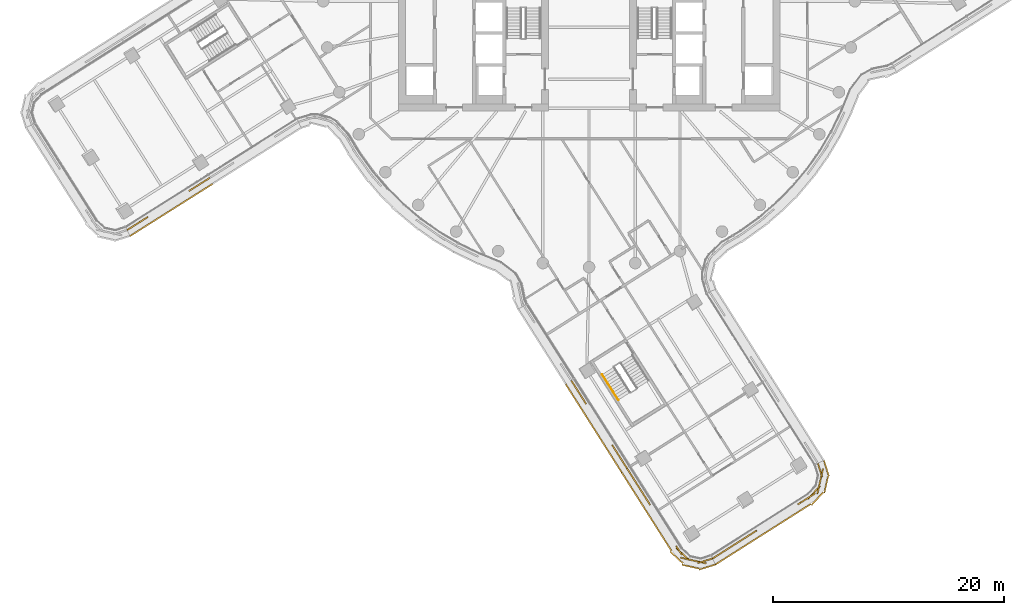
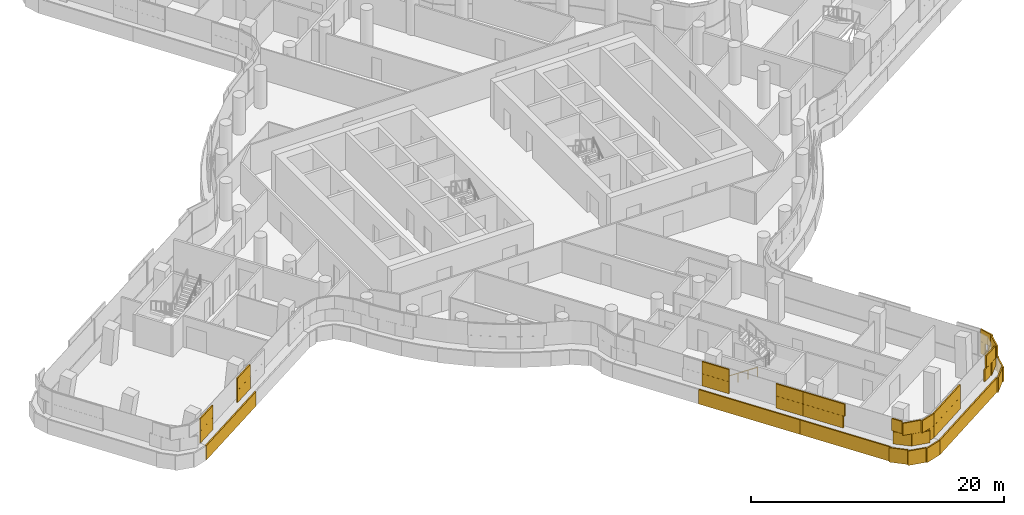
# One storey, part 29 of 36: 4 coverings, 1 railing.
"""IFC4 building model written with IfcOpenShell, lengths in metres."""

from ifc_helpers import new_model, si_unit, direction, frame, origin, origin_2d, place, context, subcontext, project, spatial, rectangle, circle, extrude, material, layer, layer_set, type_object, element, save


model = new_model("IFC4")

# Units and contexts
model_context = context("Model", 3, precision=1e-05, world=origin(), true_north=direction((0.0, 1.0)))
body_context = subcontext(model_context, "Body", "Model", "MODEL_VIEW")
ifc_project = project(units=[si_unit("LENGTHUNIT", "METRE"), si_unit("AREAUNIT", "SQUARE_METRE"), si_unit("VOLUMEUNIT", "CUBIC_METRE"), si_unit("PLANEANGLEUNIT", "RADIAN"), si_unit("MASSUNIT", "GRAM", prefix="KILO")], contexts=[model_context])

# Site, building, storey
site_placement = place(None, origin())
site = spatial("IfcSite", under=ifc_project, at=site_placement, CompositionType="ELEMENT")
building_placement = place(site_placement, origin())
building = spatial("IfcBuilding", under=site, at=building_placement, Name="Tamarind Cross Interchange Tower", CompositionType="ELEMENT")
storey_placement = place(building_placement, frame((0.0, 0.0, 151.75)))
storey = spatial("IfcBuildingStorey", under=building, at=storey_placement, Name="L37", CompositionType="ELEMENT", Elevation=151.75)

# Railing
ifc_material_1 = material(Name="Stair handrail")
railing_type = type_object("IfcRailingType", Name="Stair handrail", PredefinedType="HANDRAIL", material=ifc_material_1)
railing_placement = place(storey_placement, frame((1.139404296875, -32.29052734375, 0.17041015625)))
element("IfcRailing", 1, at=railing_placement, inside=storey, type_object=railing_type, Name="L37 ST6 stair handrail 1", PredefinedType="HANDRAIL", context=body_context, shape_type="SweptSolid", body=[
    extrude(circle(Radius=0.02392578125, at=origin_2d()), frame((0.0, 0.0, 0.8759765625), z_axis=(0.447992967394, -0.706187687253, 0.548271147826), x_axis=(0.844418453766, 0.535684118618, 0.0)), (0.0, 0.0, 1.0), 3.109130859375),
    extrude(circle(Radius=0.02099609375, at=origin_2d()), origin(), (0.0, 0.0, 1.0), 0.851806640625),
    extrude(circle(Radius=0.02099609375, at=origin_2d()), frame((0.46435546875, -0.73193359375, 0.568115234375)), (0.0, 0.0, 1.0), 0.851806640625),
    extrude(circle(Radius=0.02099609375, at=origin_2d()), frame((0.928466796875, -1.463623046875, 1.136474609375)), (0.0, 0.0, 1.0), 0.851806640625),
    extrude(circle(Radius=0.02099609375, at=origin_2d()), frame((1.392822265625, -2.195556640625, 1.70458984375)), (0.0, 0.0, 1.0), 0.851806640625),
])

# Coverings
ifc_material_2 = material(Name="Terracotta", Category="masonry")
ifc_layer = layer(ifc_material_2, 0.1201171875)
ifc_layer_set = layer_set([ifc_layer], Name="Terracotta")
covering_type = type_object("IfcCoveringType", Name="Terracotta baguette screen unit", PredefinedType="MOLDING", material=ifc_layer_set)
covering_1_placement = place(storey_placement, origin())
element("IfcCovering", 2, at=covering_1_placement, inside=storey, type_object=covering_type, Name="SCR-L37-05-00", PredefinedType="MOLDING", context=body_context, shape_type="SweptSolid", body=[
    extrude(rectangle(XDim=0.760009765625, YDim=0.1201171875, at=origin_2d()), frame((-39.6474609375, -19.591796875, 1.404052734375), z_axis=(0.0, 0.0, 1.0), x_axis=(0.845559868241, 0.533880613265, 0.0)), (0.0, 0.0, 1.0), 1.1669921875),
    extrude(rectangle(XDim=1.3896484375, YDim=0.1201171875, at=origin_2d()), frame((-38.7470703125, -19.023193359375, 1.404052734375), z_axis=(0.0, 0.0, 1.0), x_axis=(0.845559868241, 0.533880613265, 0.0)), (0.0, 0.0, 1.0), 1.1669921875),
    extrude(rectangle(XDim=0.43017578125, YDim=0.1201171875, at=origin_2d()), frame((-34.434814453125, -16.30029296875, 1.404052734375), z_axis=(0.0, 0.0, 1.0), x_axis=(0.845559868241, 0.533880613265, 0.0)), (0.0, 0.0, 1.0), 1.1669921875),
    extrude(rectangle(XDim=1.52001953125, YDim=0.1201171875, at=origin_2d()), frame((-33.622802734375, -15.787841796875, 1.404052734375), z_axis=(0.0, 0.0, 1.0), x_axis=(0.845559868241, 0.533880613265, 0.0)), (0.0, 0.0, 1.0), 1.1669921875),
    extrude(rectangle(XDim=0.219482421875, YDim=0.1201171875, at=origin_2d()), frame((-32.900146484375, -15.33154296875, 1.404052734375), z_axis=(0.0, 0.0, 1.0), x_axis=(0.845559868241, 0.533880613265, 0.0)), (0.0, 0.0, 1.0), 1.1669921875),
    extrude(rectangle(XDim=1.510009765625, YDim=0.1201171875, at=origin_2d()), frame((-39.330322265625, -19.3916015625, 2.5791015625), z_axis=(0.0, 0.0, 1.0), x_axis=(0.845559868241, 0.533880613265, 0.0)), (0.0, 0.0, 1.0), 1.1669921875),
    extrude(rectangle(XDim=0.6396484375, YDim=0.1201171875, at=origin_2d()), frame((-38.429931640625, -18.822998046875, 2.5791015625), z_axis=(0.0, 0.0, 1.0), x_axis=(0.845559868241, 0.533880613265, 0.0)), (0.0, 0.0, 1.0), 1.1669921875),
    extrude(rectangle(XDim=1.18017578125, YDim=0.1201171875, at=origin_2d()), frame((-34.11767578125, -16.10009765625, 2.5791015625), z_axis=(0.0, 0.0, 1.0), x_axis=(0.845559868241, 0.533880613265, 0.0)), (0.0, 0.0, 1.0), 1.1669921875),
    extrude(rectangle(XDim=0.969482421875, YDim=0.1201171875, at=origin_2d()), frame((-33.21728515625, -15.53173828125, 2.5791015625), z_axis=(0.0, 0.0, 1.0), x_axis=(0.845559868241, 0.533880613265, 0.0)), (0.0, 0.0, 1.0), 1.1669921875),
    extrude(rectangle(XDim=0.760009765625, YDim=0.1201171875, at=origin_2d()), frame((-39.400146484375, -20.114501953125, 0.00390625), z_axis=(0.0, 0.0, 1.0), x_axis=(0.845559868241, 0.533880613265, 0.0)), (0.0, 0.0, 1.0), 1.39208984375),
    extrude(rectangle(XDim=1.52001953125, YDim=0.1201171875, at=origin_2d()), frame((-38.453125, -19.516357421875, 0.00390625), z_axis=(0.0, 0.0, 1.0), x_axis=(0.845559868241, 0.533880613265, 0.0)), (0.0, 0.0, 1.0), 1.39208984375),
    extrude(rectangle(XDim=1.52001953125, YDim=0.1201171875, at=origin_2d()), frame((-37.184814453125, -18.715576171875, 0.00390625), z_axis=(0.0, 0.0, 1.0), x_axis=(0.845559868241, 0.533880613265, 0.0)), (0.0, 0.0, 1.0), 1.39208984375),
    extrude(rectangle(XDim=1.52001953125, YDim=0.1201171875, at=origin_2d()), frame((-35.91650390625, -17.914794921875, 0.00390625), z_axis=(0.0, 0.0, 1.0), x_axis=(0.845559868241, 0.533880613265, 0.0)), (0.0, 0.0, 1.0), 1.39208984375),
    extrude(rectangle(XDim=1.52001953125, YDim=0.1201171875, at=origin_2d()), frame((-34.648193359375, -17.114013671875, 0.00390625), z_axis=(0.0, 0.0, 1.0), x_axis=(0.845559868241, 0.533880613265, 0.0)), (0.0, 0.0, 1.0), 1.39208984375),
    extrude(rectangle(XDim=1.52001953125, YDim=0.1201171875, at=origin_2d()), frame((-33.3798828125, -16.313232421875, 0.00390625), z_axis=(0.0, 0.0, 1.0), x_axis=(0.845559868241, 0.533880613265, 0.0)), (0.0, 0.0, 1.0), 1.39208984375),
    extrude(rectangle(XDim=0.2177734375, YDim=0.1201171875, at=origin_2d()), frame((-32.662109375, -15.85986328125, 0.00390625), z_axis=(0.0, 0.0, 1.0), x_axis=(0.845559868241, 0.533880613265, 0.0)), (0.0, 0.0, 1.0), 1.39208984375),
])
covering_2_placement = place(storey_placement, origin())
element("IfcCovering", 3, at=covering_2_placement, inside=storey, type_object=covering_type, Name="SCR-L37-07-01", PredefinedType="MOLDING", context=body_context, shape_type="SweptSolid", body=[
    extrude(rectangle(XDim=0.61279296875, YDim=0.1201171875, at=origin_2d()), frame((-1.3798828125, -33.060791015625, 1.404052734375), z_axis=(0.0, 0.0, 1.0), x_axis=(0.535661738157, -0.844432651118, 0.0)), (0.0, 0.0, 1.0), 1.1669921875),
    extrude(rectangle(XDim=1.52001953125, YDim=0.1201171875, at=origin_2d()), frame((-0.816650390625, -33.94873046875, 1.404052734375), z_axis=(0.0, 0.0, 1.0), x_axis=(0.535661738157, -0.844432651118, 0.0)), (0.0, 0.0, 1.0), 1.1669921875),
    extrude(rectangle(XDim=0.310302734375, YDim=0.1201171875, at=origin_2d()), frame((-0.33447265625, -34.708740234375, 1.404052734375), z_axis=(0.0, 0.0, 1.0), x_axis=(0.535661738157, -0.844432651118, 0.0)), (0.0, 0.0, 1.0), 1.1669921875),
    extrude(rectangle(XDim=1.509765625, YDim=0.1201171875, at=origin_2d()), frame((2.3974609375, -39.015380859375, 1.404052734375), z_axis=(0.0, 0.0, 1.0), x_axis=(0.535661738157, -0.844432651118, 0.0)), (0.0, 0.0, 1.0), 1.1669921875),
    extrude(rectangle(XDim=0.91357421875, YDim=0.1201171875, at=origin_2d()), frame((3.041015625, -40.030029296875, 1.404052734375), z_axis=(0.0, 0.0, 1.0), x_axis=(0.535661738157, -0.844432651118, 0.0)), (0.0, 0.0, 1.0), 1.1669921875),
    extrude(rectangle(XDim=1.36279296875, YDim=0.1201171875, at=origin_2d()), frame((-1.178955078125, -33.37744140625, 2.5791015625), z_axis=(0.0, 0.0, 1.0), x_axis=(0.535661738157, -0.844432651118, 0.0)), (0.0, 0.0, 1.0), 1.1669921875),
    extrude(rectangle(XDim=1.060302734375, YDim=0.1201171875, at=origin_2d()), frame((-0.535400390625, -34.39208984375, 2.5791015625), z_axis=(0.0, 0.0, 1.0), x_axis=(0.535661738157, -0.844432651118, 0.0)), (0.0, 0.0, 1.0), 1.1669921875),
    extrude(rectangle(XDim=0.759765625, YDim=0.1201171875, at=origin_2d()), frame((2.196533203125, -38.69873046875, 2.5791015625), z_axis=(0.0, 0.0, 1.0), x_axis=(0.535661738157, -0.844432651118, 0.0)), (0.0, 0.0, 1.0), 1.1669921875),
    extrude(rectangle(XDim=1.52001953125, YDim=0.1201171875, at=origin_2d()), frame((2.799072265625, -39.6484375, 2.5791015625), z_axis=(0.0, 0.0, 1.0), x_axis=(0.535661738157, -0.844432651118, 0.0)), (0.0, 0.0, 1.0), 1.1669921875),
    extrude(rectangle(XDim=0.16357421875, YDim=0.1201171875, at=origin_2d()), frame((3.241943359375, -40.3466796875, 2.5791015625), z_axis=(0.0, 0.0, 1.0), x_axis=(0.535661738157, -0.844432651118, 0.0)), (0.0, 0.0, 1.0), 1.1669921875),
    extrude(rectangle(XDim=0.578369140625, YDim=0.1201171875, at=origin_2d()), frame((-1.872802734375, -33.355224609375, 0.00390625), z_axis=(0.0, 0.0, 1.0), x_axis=(0.535661738157, -0.844432651118, 0.0)), (0.0, 0.0, 1.0), 1.39208984375),
    extrude(rectangle(XDim=1.52001953125, YDim=0.1201171875, at=origin_2d()), frame((-1.321533203125, -34.224365234375, 0.00390625), z_axis=(0.0, 0.0, 1.0), x_axis=(0.535661738157, -0.844432651118, 0.0)), (0.0, 0.0, 1.0), 1.39208984375),
    extrude(rectangle(XDim=1.52001953125, YDim=0.1201171875, at=origin_2d()), frame((-0.51806640625, -35.490966796875, 0.00390625), z_axis=(0.0, 0.0, 1.0), x_axis=(0.535661738157, -0.844432651118, 0.0)), (0.0, 0.0, 1.0), 1.39208984375),
    extrude(rectangle(XDim=1.52001953125, YDim=0.1201171875, at=origin_2d()), frame((0.285400390625, -36.757568359375, 0.00390625), z_axis=(0.0, 0.0, 1.0), x_axis=(0.535661738157, -0.844432651118, 0.0)), (0.0, 0.0, 1.0), 1.39208984375),
    extrude(rectangle(XDim=1.52001953125, YDim=0.1201171875, at=origin_2d()), frame((1.089111328125, -38.024169921875, 0.00390625), z_axis=(0.0, 0.0, 1.0), x_axis=(0.535661738157, -0.844432651118, 0.0)), (0.0, 0.0, 1.0), 1.39208984375),
    extrude(rectangle(XDim=1.52001953125, YDim=0.1201171875, at=origin_2d()), frame((1.892578125, -39.291015625, 0.00390625), z_axis=(0.0, 0.0, 1.0), x_axis=(0.535661738157, -0.844432651118, 0.0)), (0.0, 0.0, 1.0), 1.39208984375),
    extrude(rectangle(XDim=0.988525390625, YDim=0.1201171875, at=origin_2d()), frame((2.5537109375, -40.333251953125, 0.00390625), z_axis=(0.0, 0.0, 1.0), x_axis=(0.535661738157, -0.844432651118, 0.0)), (0.0, 0.0, 1.0), 1.39208984375),
])
covering_3_placement = place(storey_placement, origin())
element("IfcCovering", 4, at=covering_3_placement, inside=storey, type_object=covering_type, Name="SCR-L37-07-02", PredefinedType="MOLDING", context=body_context, shape_type="SweptSolid", body=[
    extrude(rectangle(XDim=0.6064453125, YDim=0.1201171875, at=origin_2d()), frame((3.44287109375, -40.663330078125, 1.404052734375), z_axis=(0.0, 0.0, 1.0), x_axis=(0.535661738157, -0.844432651118, 0.0)), (0.0, 0.0, 1.0), 1.1669921875),
    extrude(rectangle(XDim=1.52001953125, YDim=0.1201171875, at=origin_2d()), frame((4.00439453125, -41.548583984375, 1.404052734375), z_axis=(0.0, 0.0, 1.0), x_axis=(0.535661738157, -0.844432651118, 0.0)), (0.0, 0.0, 1.0), 1.1669921875),
    extrude(rectangle(XDim=1.52001953125, YDim=0.1201171875, at=origin_2d()), frame((4.807861328125, -42.815185546875, 1.404052734375), z_axis=(0.0, 0.0, 1.0), x_axis=(0.535661738157, -0.844432651118, 0.0)), (0.0, 0.0, 1.0), 1.1669921875),
    extrude(rectangle(XDim=1.52001953125, YDim=0.1201171875, at=origin_2d()), frame((8.09814453125, -47.818115234375, 1.404052734375), z_axis=(0.0, 0.0, 1.0), x_axis=(0.735964759457, -0.677019846709, 0.0)), (0.0, 0.0, 1.0), 1.1669921875),
    extrude(rectangle(XDim=1.52001953125, YDim=0.1201171875, at=origin_2d()), frame((9.396240234375, -48.462158203125, 1.404052734375), z_axis=(0.0, 0.0, 1.0), x_axis=(0.975874101334, -0.218334006388, 0.0)), (0.0, 0.0, 1.0), 1.1669921875),
    extrude(rectangle(XDim=0.605224609375, YDim=0.1201171875, at=origin_2d()), frame((10.40185546875, -48.290771484375, 1.404052734375), z_axis=(0.0, 0.0, 1.0), x_axis=(0.954298765844, 0.298854254625, 0.0)), (0.0, 0.0, 1.0), 1.1669921875),
    extrude(rectangle(XDim=1.3564453125, YDim=0.1201171875, at=origin_2d()), frame((3.643798828125, -40.97998046875, 2.5791015625), z_axis=(0.0, 0.0, 1.0), x_axis=(0.535661738157, -0.844432651118, 0.0)), (0.0, 0.0, 1.0), 1.1669921875),
    extrude(rectangle(XDim=1.52001953125, YDim=0.1201171875, at=origin_2d()), frame((4.406005859375, -42.181884765625, 2.5791015625), z_axis=(0.0, 0.0, 1.0), x_axis=(0.535661738157, -0.844432651118, 0.0)), (0.0, 0.0, 1.0), 1.1669921875),
    extrude(rectangle(XDim=0.909423828125, YDim=0.1201171875, at=origin_2d()), frame((5.048583984375, -43.19482421875, 2.5791015625), z_axis=(0.0, 0.0, 1.0), x_axis=(0.535661738157, -0.844432651118, 0.0)), (0.0, 0.0, 1.0), 1.1669921875),
    extrude(rectangle(XDim=0.91064453125, YDim=0.1201171875, at=origin_2d()), frame((7.780517578125, -47.50146484375, 2.5791015625), z_axis=(0.0, 0.0, 1.0), x_axis=(0.535661738157, -0.844432651118, 0.0)), (0.0, 0.0, 1.0), 1.1669921875),
    extrude(rectangle(XDim=1.52001953125, YDim=0.1201171875, at=origin_2d()), frame((8.664306640625, -48.29833984375, 2.5791015625), z_axis=(0.0, 0.0, 1.0), x_axis=(0.975874101334, -0.218334006388, 0.0)), (0.0, 0.0, 1.0), 1.1669921875),
    extrude(rectangle(XDim=1.355224609375, YDim=0.1201171875, at=origin_2d()), frame((10.0439453125, -48.40283203125, 2.5791015625), z_axis=(0.0, 0.0, 1.0), x_axis=(0.954298765844, 0.298854254625, 0.0)), (0.0, 0.0, 1.0), 1.1669921875),
    extrude(rectangle(XDim=0.531494140625, YDim=0.1201171875, at=origin_2d()), frame((2.960693359375, -40.974853515625, 0.00390625), z_axis=(0.0, 0.0, 1.0), x_axis=(0.535661738157, -0.844432651118, 0.0)), (0.0, 0.0, 1.0), 1.39208984375),
    extrude(rectangle(XDim=1.52001953125, YDim=0.1201171875, at=origin_2d()), frame((3.49951171875, -41.82421875, 0.00390625), z_axis=(0.0, 0.0, 1.0), x_axis=(0.535661738157, -0.844432651118, 0.0)), (0.0, 0.0, 1.0), 1.39208984375),
    extrude(rectangle(XDim=1.52001953125, YDim=0.1201171875, at=origin_2d()), frame((4.302978515625, -43.0908203125, 0.00390625), z_axis=(0.0, 0.0, 1.0), x_axis=(0.535661738157, -0.844432651118, 0.0)), (0.0, 0.0, 1.0), 1.39208984375),
    extrude(rectangle(XDim=1.52001953125, YDim=0.1201171875, at=origin_2d()), frame((5.1064453125, -44.357421875, 0.00390625), z_axis=(0.0, 0.0, 1.0), x_axis=(0.535661738157, -0.844432651118, 0.0)), (0.0, 0.0, 1.0), 1.39208984375),
    extrude(rectangle(XDim=1.52001953125, YDim=0.1201171875, at=origin_2d()), frame((5.909912109375, -45.624267578125, 0.00390625), z_axis=(0.0, 0.0, 1.0), x_axis=(0.535661738157, -0.844432651118, 0.0)), (0.0, 0.0, 1.0), 1.39208984375),
    extrude(rectangle(XDim=1.52001953125, YDim=0.1201171875, at=origin_2d()), frame((6.71337890625, -46.890869140625, 0.00390625), z_axis=(0.0, 0.0, 1.0), x_axis=(0.535661738157, -0.844432651118, 0.0)), (0.0, 0.0, 1.0), 1.39208984375),
    extrude(rectangle(XDim=1.52001953125, YDim=0.1201171875, at=origin_2d()), frame((7.570556640625, -48.112548828125, 0.00390625), z_axis=(0.0, 0.0, 1.0), x_axis=(0.735964759457, -0.677019846709, 0.0)), (0.0, 0.0, 1.0), 1.39208984375),
    extrude(rectangle(XDim=1.52001953125, YDim=0.1201171875, at=origin_2d()), frame((8.78662109375, -48.9140625, 0.00390625), z_axis=(0.0, 0.0, 1.0), x_axis=(0.975874101334, -0.218334006388, 0.0)), (0.0, 0.0, 1.0), 1.39208984375),
    extrude(rectangle(XDim=1.484619140625, YDim=0.1201171875, at=origin_2d()), frame((10.22119140625, -48.948974609375, 0.00390625), z_axis=(0.0, 0.0, 1.0), x_axis=(0.954298765844, 0.298854254625, 0.0)), (0.0, 0.0, 1.0), 1.39208984375),
])
covering_4_placement = place(storey_placement, origin())
element("IfcCovering", 5, at=covering_4_placement, inside=storey, type_object=covering_type, Name="SCR-L37-08-00", PredefinedType="MOLDING", context=body_context, shape_type="SweptSolid", body=[
    extrude(rectangle(XDim=0.760009765625, YDim=0.1201171875, at=origin_2d()), frame((11.00244140625, -48.0009765625, 1.404052734375), z_axis=(0.0, 0.0, 1.0), x_axis=(0.844432651118, 0.535661738157, 0.0)), (0.0, 0.0, 1.0), 1.1669921875),
    extrude(rectangle(XDim=1.52001953125, YDim=0.1201171875, at=origin_2d()), frame((11.952392578125, -47.3984375, 1.404052734375), z_axis=(0.0, 0.0, 1.0), x_axis=(0.844432651118, 0.535661738157, 0.0)), (0.0, 0.0, 1.0), 1.1669921875),
    extrude(rectangle(XDim=1.52001953125, YDim=0.1201171875, at=origin_2d()), frame((13.21923828125, -46.594970703125, 1.404052734375), z_axis=(0.0, 0.0, 1.0), x_axis=(0.844432651118, 0.535661738157, 0.0)), (0.0, 0.0, 1.0), 1.1669921875),
    extrude(rectangle(XDim=0.784912109375, YDim=0.1201171875, at=origin_2d()), frame((14.1796875, -45.985595703125, 1.404052734375), z_axis=(0.0, 0.0, 1.0), x_axis=(0.844432651118, 0.535661738157, 0.0)), (0.0, 0.0, 1.0), 1.1669921875),
    extrude(rectangle(XDim=1.03515625, YDim=0.1201171875, at=origin_2d()), frame((18.486328125, -43.253662109375, 1.404052734375), z_axis=(0.0, 0.0, 1.0), x_axis=(0.844432651118, 0.535661738157, 0.0)), (0.0, 0.0, 1.0), 1.1669921875),
    extrude(rectangle(XDim=1.52001953125, YDim=0.1201171875, at=origin_2d()), frame((19.47265625, -42.48193359375, 1.404052734375), z_axis=(0.0, 0.0, 1.0), x_axis=(0.677019846709, 0.735964759457, 0.0)), (0.0, 0.0, 1.0), 1.1669921875),
    extrude(rectangle(XDim=1.52001953125, YDim=0.1201171875, at=origin_2d()), frame((20.072998046875, -41.160888671875, 1.404052734375), z_axis=(0.0, 0.0, 1.0), x_axis=(0.218334006388, 0.975874101334, 0.0)), (0.0, 0.0, 1.0), 1.1669921875),
    extrude(rectangle(XDim=0.509521484375, YDim=0.1201171875, at=origin_2d()), frame((19.866455078125, -40.202880859375, 1.404052734375), z_axis=(0.0, 0.0, 1.0), x_axis=(-0.298854254625, 0.954298765844, 0.0)), (0.0, 0.0, 1.0), 1.1669921875),
    extrude(rectangle(XDim=1.510009765625, YDim=0.1201171875, at=origin_2d()), frame((11.319091796875, -47.800048828125, 2.5791015625), z_axis=(0.0, 0.0, 1.0), x_axis=(0.844432651118, 0.535661738157, 0.0)), (0.0, 0.0, 1.0), 1.1669921875),
    extrude(rectangle(XDim=1.52001953125, YDim=0.1201171875, at=origin_2d()), frame((12.5859375, -46.99658203125, 2.5791015625), z_axis=(0.0, 0.0, 1.0), x_axis=(0.844432651118, 0.535661738157, 0.0)), (0.0, 0.0, 1.0), 1.1669921875),
    extrude(rectangle(XDim=1.52001953125, YDim=0.1201171875, at=origin_2d()), frame((13.8525390625, -46.193115234375, 2.5791015625), z_axis=(0.0, 0.0, 1.0), x_axis=(0.844432651118, 0.535661738157, 0.0)), (0.0, 0.0, 1.0), 1.1669921875),
    extrude(rectangle(XDim=1.52001953125, YDim=0.1201171875, at=origin_2d()), frame((18.919189453125, -42.979248046875, 2.5791015625), z_axis=(0.0, 0.0, 1.0), x_axis=(0.844432651118, 0.535661738157, 0.0)), (0.0, 0.0, 1.0), 1.1669921875),
    extrude(rectangle(XDim=1.52001953125, YDim=0.1201171875, at=origin_2d()), frame((19.909423828125, -41.892822265625, 2.5791015625), z_axis=(0.0, 0.0, 1.0), x_axis=(0.218334006388, 0.975874101334, 0.0)), (0.0, 0.0, 1.0), 1.1669921875),
    extrude(rectangle(XDim=1.259521484375, YDim=0.1201171875, at=origin_2d()), frame((19.978515625, -40.560791015625, 2.5791015625), z_axis=(0.0, 0.0, 1.0), x_axis=(-0.298854254625, 0.954298765844, 0.0)), (0.0, 0.0, 1.0), 1.1669921875),
    extrude(rectangle(XDim=0.760009765625, YDim=0.1201171875, at=origin_2d()), frame((11.25048828125, -48.5234375, 0.00390625), z_axis=(0.0, 0.0, 1.0), x_axis=(0.844432651118, 0.535661738157, 0.0)), (0.0, 0.0, 1.0), 1.39208984375),
    extrude(rectangle(XDim=1.52001953125, YDim=0.1201171875, at=origin_2d()), frame((12.1962890625, -47.923583984375, 0.00390625), z_axis=(0.0, 0.0, 1.0), x_axis=(0.844432651118, 0.535661738157, 0.0)), (0.0, 0.0, 1.0), 1.39208984375),
    extrude(rectangle(XDim=1.52001953125, YDim=0.1201171875, at=origin_2d()), frame((13.462890625, -47.1201171875, 0.00390625), z_axis=(0.0, 0.0, 1.0), x_axis=(0.844432651118, 0.535661738157, 0.0)), (0.0, 0.0, 1.0), 1.39208984375),
    extrude(rectangle(XDim=1.52001953125, YDim=0.1201171875, at=origin_2d()), frame((14.7294921875, -46.316650390625, 0.00390625), z_axis=(0.0, 0.0, 1.0), x_axis=(0.844432651118, 0.535661738157, 0.0)), (0.0, 0.0, 1.0), 1.39208984375),
    extrude(rectangle(XDim=1.52001953125, YDim=0.1201171875, at=origin_2d()), frame((15.99609375, -45.51318359375, 0.00390625), z_axis=(0.0, 0.0, 1.0), x_axis=(0.844432651118, 0.535661738157, 0.0)), (0.0, 0.0, 1.0), 1.39208984375),
    extrude(rectangle(XDim=1.52001953125, YDim=0.1201171875, at=origin_2d()), frame((17.2626953125, -44.709716796875, 0.00390625), z_axis=(0.0, 0.0, 1.0), x_axis=(0.844432651118, 0.535661738157, 0.0)), (0.0, 0.0, 1.0), 1.39208984375),
    extrude(rectangle(XDim=1.52001953125, YDim=0.1201171875, at=origin_2d()), frame((18.529296875, -43.906005859375, 0.00390625), z_axis=(0.0, 0.0, 1.0), x_axis=(0.844432651118, 0.535661738157, 0.0)), (0.0, 0.0, 1.0), 1.39208984375),
    extrude(rectangle(XDim=1.52001953125, YDim=0.1201171875, at=origin_2d()), frame((19.74169921875, -43.03759765625, 0.00390625), z_axis=(0.0, 0.0, 1.0), x_axis=(0.677019846709, 0.735964759457, 0.0)), (0.0, 0.0, 1.0), 1.39208984375),
    extrude(rectangle(XDim=1.52001953125, YDim=0.1201171875, at=origin_2d()), frame((20.5166015625, -41.8076171875, 0.00390625), z_axis=(0.0, 0.0, 1.0), x_axis=(0.218334006388, 0.975874101334, 0.0)), (0.0, 0.0, 1.0), 1.39208984375),
    extrude(rectangle(XDim=1.426513671875, YDim=0.1201171875, at=origin_2d()), frame((20.530517578125, -40.402099609375, 0.00390625), z_axis=(0.0, 0.0, 1.0), x_axis=(-0.298854254625, 0.954298765844, 0.0)), (0.0, 0.0, 1.0), 1.39208984375),
])

save(model, "model.ifc")
